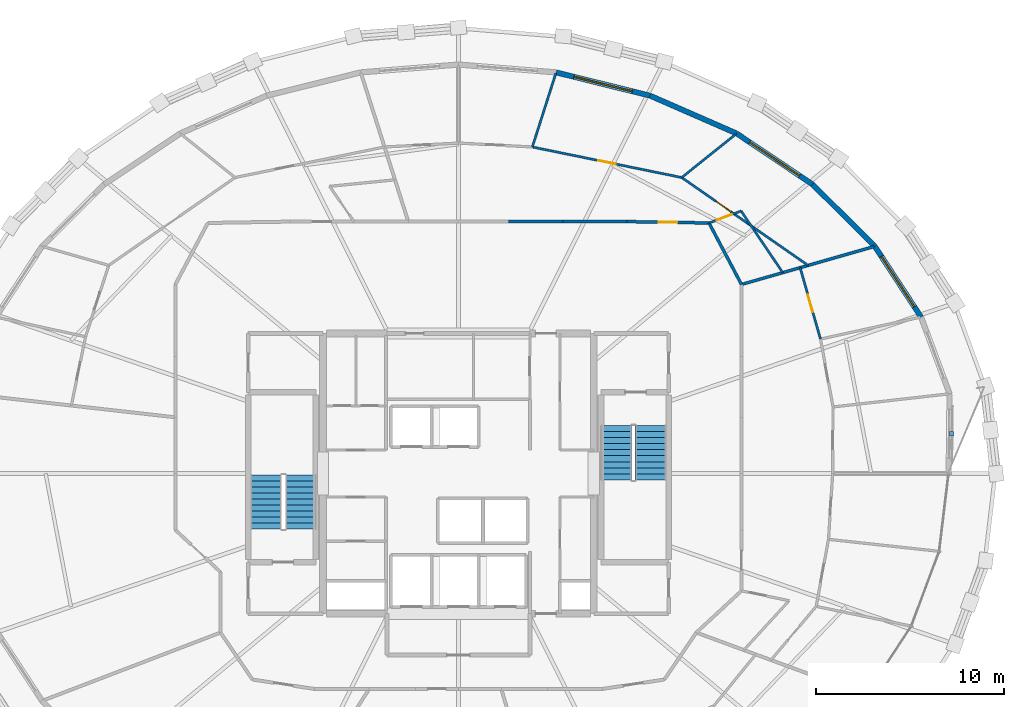
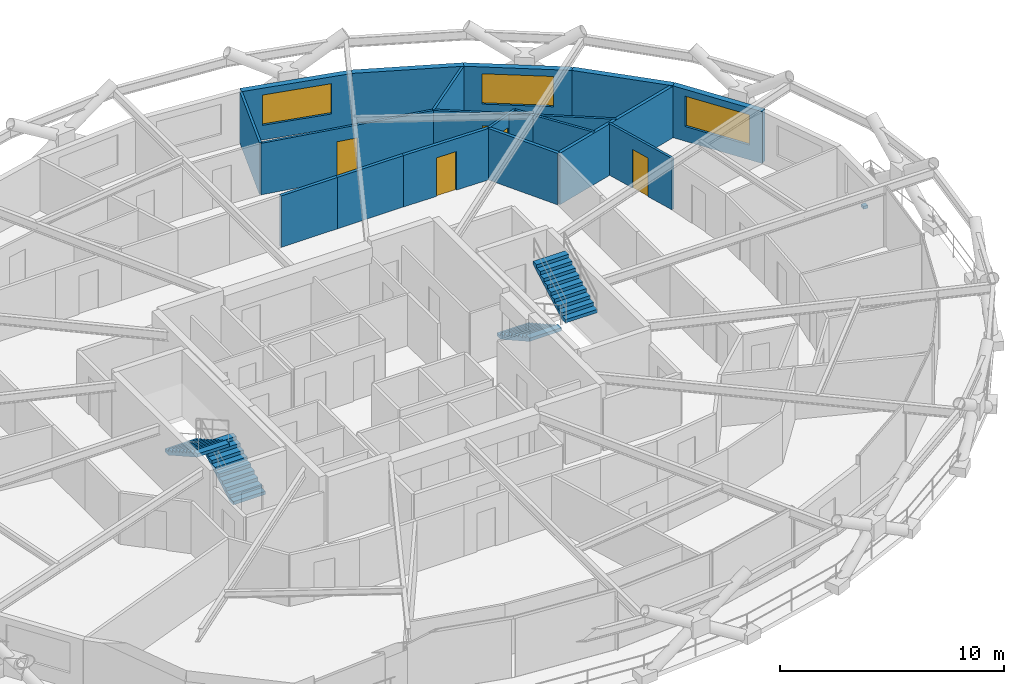
# One storey, part 18 of 21: 17 walls, 5 doors, 4 stair flights, 3 windows, 1 discrete accessory, 8 openings, 2 elements without a shape of their own.
"""IFC4 building model written with IfcOpenShell, lengths in metres."""

import ifcopenshell
import ifcopenshell.guid

model = None  # the IFC model being written
_history = None  # IfcOwnerHistory: only IFC2X3 demands one
_inside = {}  # id of a spatial element -> (the spatial element, [elements in it])
_under = {}  # id of a project, library or spatial element -> (it, [spatial elements below it])
_declared = {}  # id of a project -> (the project, [libraries it declares])
_typed = {}  # id of a type object -> (the type object, [elements of that type])
_made_of = {}  # id of a material, layer set ... -> (it, [elements and type objects made of it])


def new_model(schema):
    """Start an empty IFC model of exactly this schema.

    Asked for "IFC4X3", IfcOpenShell would pick the latest addendum, in which some entities
    have other attributes; the version numbers below select the first issue.
    IFC2X3 requires an IfcOwnerHistory on every rooted entity: one is made here for all.
    """
    global model, _history
    if schema == "IFC4X3":
        model = ifcopenshell.file(schema_version=(4, 3, 0, 0))
    else:
        model = ifcopenshell.file(schema=schema)
    _inside.clear()
    _under.clear()
    _declared.clear()
    _typed.clear()
    _made_of.clear()
    _history = None
    if model.schema == "IFC2X3":
        org = make("IfcOrganization", Name="unknown")
        user = make(
            "IfcPersonAndOrganization",
            ThePerson=make("IfcPerson", FamilyName="unknown"),
            TheOrganization=org,
        )
        app = make(
            "IfcApplication",
            ApplicationDeveloper=org,
            Version="unknown",
            ApplicationFullName="unknown",
            ApplicationIdentifier="unknown",
        )
        _history = make(
            "IfcOwnerHistory",
            OwningUser=user,
            OwningApplication=app,
            ChangeAction="ADDED",
            CreationDate=0,
        )
    return model


def make(cls, **values):
    """One entity of the class cls with the attributes given. An attribute that is None is left unset."""
    return model.create_entity(
        cls, **{name: value for name, value in values.items() if value is not None}
    )


def rooted(cls, **values):
    """An entity with a GlobalId (a new one), such as an element, a storey or a relation."""
    return make(cls, GlobalId=ifcopenshell.guid.new(), OwnerHistory=_history, **values)


def si_unit(unit_type, name, prefix=None):
    """IfcSIUnit, for example si_unit("LENGTHUNIT", "METRE", prefix="MILLI")."""
    return make("IfcSIUnit", UnitType=unit_type, Prefix=prefix, Name=name)


def assignment(units):
    """IfcUnitAssignment: the units of a project."""
    return None if units is None else make("IfcUnitAssignment", Units=units)


def point(xyz):
    """IfcCartesianPoint."""
    return None if xyz is None else make("IfcCartesianPoint", Coordinates=xyz)


def direction(xyz):
    """IfcDirection."""
    return None if xyz is None else make("IfcDirection", DirectionRatios=xyz)


def frame(location, z_axis=None, x_axis=None):
    """IfcAxis2Placement3D, a coordinate frame: its origin and axes. An axis left out is left unset."""
    return make(
        "IfcAxis2Placement3D",
        Location=point(location),
        Axis=direction(z_axis),
        RefDirection=direction(x_axis),
    )


def frame_2d(location, x_axis=None):
    """IfcAxis2Placement2D, a coordinate frame in the plane: its origin and x axis."""
    return make(
        "IfcAxis2Placement2D", Location=point(location), RefDirection=direction(x_axis)
    )


def origin():
    """The frame at (0, 0, 0) with its axes left unset."""
    return frame((0.0, 0.0, 0.0))


def origin_2d():
    """The frame at (0, 0) in the plane with its x axis left unset."""
    return frame_2d((0.0, 0.0))


def place(relative_to, where):
    """IfcLocalPlacement: puts the frame where relative to a parent placement (None: the world)."""
    return make(
        "IfcLocalPlacement", PlacementRelTo=relative_to, RelativePlacement=where
    )


def context(
    kind, dimensions, precision=None, world=None, true_north=None, identifier=None
):
    """IfcGeometricRepresentationContext, for example the 3D "Model" context."""
    return make(
        "IfcGeometricRepresentationContext",
        ContextIdentifier=identifier,
        ContextType=kind,
        CoordinateSpaceDimension=dimensions,
        Precision=precision,
        WorldCoordinateSystem=world,
        TrueNorth=true_north,
    )


def subcontext(parent, identifier, kind, view, scale=None):
    """IfcGeometricRepresentationSubContext, for example "Body" below "Model"."""
    return make(
        "IfcGeometricRepresentationSubContext",
        ContextIdentifier=identifier,
        ContextType=kind,
        ParentContext=parent,
        TargetScale=scale,
        TargetView=view,
    )


def project(units=None, contexts=None):
    """IfcProject with its units and contexts."""
    return rooted(
        "IfcProject",
        Name="project",
        RepresentationContexts=contexts,
        UnitsInContext=assignment(units),
    )


def spatial(cls, under=None, at=None, **own):
    """A site, building, storey or space (cls), placed at a placement, below another one or the project."""
    s = rooted(cls, ObjectPlacement=at, **own)
    if under is not None:
        _under.setdefault(under.id(), (under, []))[1].append(s)
    return s


def polyline(points):
    """IfcPolyline through the points."""
    return make("IfcPolyline", Points=[point(p) for p in points])


def profile(cls, at=None, kind="AREA", **sizes):
    """A parametric profile (cls). Its sizes go by their IFC names, for example OverallWidth=200.0."""
    return make(cls, ProfileType=kind, Position=at, **sizes)


def rectangle(**sizes):
    """IfcRectangleProfileDef."""
    return profile("IfcRectangleProfileDef", **sizes)


def outline(outer, holes=None, kind="AREA"):
    """IfcArbitraryClosedProfileDef: a profile drawn as a closed curve; with holes, ...WithVoids."""
    if holes is None:
        return make("IfcArbitraryClosedProfileDef", ProfileType=kind, OuterCurve=outer)
    return make(
        "IfcArbitraryProfileDefWithVoids",
        ProfileType=kind,
        OuterCurve=outer,
        InnerCurves=holes,
    )


def extrude(swept, where, along, depth):
    """IfcExtrudedAreaSolid: the profile swept, set in the frame where, extruded along a direction by depth."""
    return make(
        "IfcExtrudedAreaSolid",
        SweptArea=swept,
        Position=where,
        ExtrudedDirection=direction(along),
        Depth=depth,
    )


def shape(context_of_items, identifier, shape_type, items):
    """IfcShapeRepresentation: the items that make up one representation, for example the "Body"."""
    return make(
        "IfcShapeRepresentation",
        ContextOfItems=context_of_items,
        RepresentationIdentifier=identifier,
        RepresentationType=shape_type,
        Items=items,
    )


def material(Name=None, Category=None):
    """IfcMaterial."""
    return make("IfcMaterial", Name=Name, Category=Category)


def layer(
    of_material, thickness, ventilated=None, Name=None, Category=None, Priority=None
):
    """IfcMaterialLayer: one layer of a wall or slab, of a material (None: an air gap)."""
    return make(
        "IfcMaterialLayer",
        Material=of_material,
        LayerThickness=thickness,
        IsVentilated=ventilated,
        Name=Name,
        Category=Category,
        Priority=Priority,
    )


def layer_set(layers, Name=None):
    """IfcMaterialLayerSet."""
    return make("IfcMaterialLayerSet", MaterialLayers=layers, LayerSetName=Name)


def made_of(thing, what):
    """Note that an element or type object is made of a material, layer set ...; save() writes the relation."""
    if what is not None:
        _made_of.setdefault(what.id(), (what, []))[1].append(thing)
    return thing


def type_object(cls, material=None, **own):
    """A type object (cls), such as IfcWallType, which elements share."""
    return made_of(rooted(cls, **own), material)


def element(
    cls,
    number,
    at=None,
    inside=None,
    cuts=None,
    type_object=None,
    material=None,
    context=None,
    identifier="Body",
    shape_type=None,
    held_by="IfcProductDefinitionShape",
    body=None,
    shapes=None,
    **own,
):
    """One element of the class cls, such as IfcWall. Its Tag is "e" and its number.

    at: its placement. inside: the storey or other place that contains it. cuts: it is an
    opening in that element (IfcRelVoidsElement). A single representation is given by context,
    identifier, shape_type and body (its items); several are given by shapes. held_by: the class
    of the entity that holds the representations. save() writes the other relations.
    """
    e = rooted(cls, Tag="e%d" % number, ObjectPlacement=at, **own)
    if body is not None:
        shapes = [shape(context, identifier, shape_type, body)]
    if shapes is not None:
        e.Representation = make(held_by, Representations=shapes)
    if inside is not None:
        _inside.setdefault(inside.id(), (inside, []))[1].append(e)
    if cuts is not None:
        rooted(
            "IfcRelVoidsElement", RelatingBuildingElement=cuts, RelatedOpeningElement=e
        )
    if type_object is not None:
        _typed.setdefault(type_object.id(), (type_object, []))[1].append(e)
    return made_of(e, material)


def fill(opening, filler):
    """IfcRelFillsElement: the door or window that sits in an opening."""
    return rooted(
        "IfcRelFillsElement",
        RelatingOpeningElement=opening,
        RelatedBuildingElement=filler,
    )


def aggregate(whole, parts):
    """IfcRelAggregates: a whole, such as a stair, and the parts it consists of."""
    return rooted("IfcRelAggregates", RelatingObject=whole, RelatedObjects=parts)


def save(model, path):
    """Write the relations noted so far, then the file.

    IfcRelAggregates (storeys below a building ...), IfcRelContainedInSpatialStructure (elements
    in a storey), IfcRelDefinesByType, IfcRelAssociatesMaterial and IfcRelDeclares: one each for
    every whole, place, type object, material and project.
    """
    for whole, parts in _under.values():
        aggregate(whole, parts)
    for where, things in _inside.values():
        rooted(
            "IfcRelContainedInSpatialStructure",
            RelatedElements=things,
            RelatingStructure=where,
        )
    for kind, things in _typed.values():
        rooted("IfcRelDefinesByType", RelatedObjects=things, RelatingType=kind)
    for what, things in _made_of.values():
        rooted("IfcRelAssociatesMaterial", RelatedObjects=things, RelatingMaterial=what)
    for by, libraries in _declared.values():
        rooted("IfcRelDeclares", RelatingContext=by, RelatedDefinitions=libraries)
    model.write(path)


model = new_model("IFC4")

# Units and contexts
model_context = context("Model", 3, precision=1e-05, world=origin(), true_north=direction((0.0, 1.0)))
body_context = subcontext(model_context, "Body", "Model", "MODEL_VIEW")
ifc_project = project(units=[si_unit("LENGTHUNIT", "METRE"), si_unit("AREAUNIT", "SQUARE_METRE"), si_unit("VOLUMEUNIT", "CUBIC_METRE"), si_unit("PLANEANGLEUNIT", "RADIAN"), si_unit("MASSUNIT", "GRAM", prefix="KILO")], contexts=[model_context])

# Site, building, storey
site_placement = place(None, origin())
site = spatial("IfcSite", under=ifc_project, at=site_placement, CompositionType="ELEMENT")
building_placement = place(site_placement, origin())
building = spatial("IfcBuilding", under=site, at=building_placement, Name="Veldorina Hangang Commons", CompositionType="ELEMENT")
storey_placement = place(building_placement, frame((0.0, 0.0, 128.0)))
storey = spatial("IfcBuildingStorey", under=building, at=storey_placement, Name="L32", CompositionType="ELEMENT", Elevation=128.0)

# Wall, opening, window
ifc_material_1 = material(Name="Stone Roman Travertine", Category="masonry")
ifc_layer_1 = layer(ifc_material_1, 0.280029296875)
ifc_layer_set_1 = layer_set([ifc_layer_1], Name="Stone Roman Travertine")
wall_type_1 = type_object("IfcWallType", Name="EW-TRAV-280", PredefinedType="STANDARD", material=ifc_layer_set_1)
wall_1_placement = place(storey_placement, frame((56.598876953125, 32.3232421875, 0.0), z_axis=(0.0, 0.0, 1.0), x_axis=(-0.547571349255, 0.836758996053, 0.0)))
wall_1 = element("IfcWall", 1, at=wall_1_placement, inside=storey, type_object=wall_type_1, Name="L32 travertine facade wall 02", PredefinedType="STANDARD", context=body_context, shape_type="SweptSolid", body=[
    extrude(rectangle(XDim=4.493896484375, YDim=0.280029296875, at=frame_2d((2.2470703125, 0.0))), origin(), (0.0, 0.0, 1.0), 2.820068359375),
])
opening_1_placement = place(wall_1_placement, frame((0.64697265625, 0.0, 0.800048828125)))
opening_1 = element("IfcOpeningElement", 2, at=opening_1_placement, cuts=wall_1, Name="Opening W-01", PredefinedType="OPENING", context=body_context, shape_type="SweptSolid", body=[
    extrude(rectangle(XDim=3.199951171875, YDim=1.64990234375, at=frame_2d((1.60009765625, 0.824951171875))), frame((0.0, 0.14990234375, 0.0), z_axis=(0.0, -1.0, 0.0), x_axis=(1.0, 0.0, 0.0)), (0.0, 0.0, 1.0), 0.300048828125),
])
ifc_material_2 = material(Name="Glass Low-E Triple IGU", Category="glass")
window_type = type_object("IfcWindowType", Name="WIN-TWR-3200", PartitioningType="SINGLE_PANEL", PredefinedType="WINDOW", material=ifc_material_2)
window_1_placement = place(opening_1_placement, origin())
window_1 = element("IfcWindow", 3, at=window_1_placement, inside=storey, type_object=window_type, Name="L32 facade window 02", OverallHeight=1.64990234375, OverallWidth=3.199951171875, PartitioningType="SINGLE_PANEL", PredefinedType="WINDOW", context=body_context, shape_type="SweptSolid", body=[
    extrude(rectangle(XDim=3.199951171875, YDim=1.64990234375, at=frame_2d((1.60009765625, 0.824951171875))), frame((0.0, 0.030029296875, 0.0), z_axis=(0.0, -1.0, 0.0), x_axis=(1.0, 0.0, 0.0)), (0.0, 0.0, 1.0), 0.06005859375),
])
fill(opening_1, window_1)

# Wall
wall_2_placement = place(storey_placement, frame((54.13818359375, 36.08349609375, 0.0), z_axis=(0.0, 0.0, 1.0), x_axis=(-0.708724927863, 0.705484923032, 0.0)))
element("IfcWall", 4, at=wall_2_placement, inside=storey, type_object=wall_type_1, Name="L32 travertine facade wall 03", PredefinedType="STANDARD", context=body_context, shape_type="SweptSolid", body=[
    extrude(rectangle(XDim=4.671875, YDim=0.280029296875, at=frame_2d((2.3359375, 0.0))), origin(), (0.0, 0.0, 1.0), 2.820068359375),
])

# Wall, opening, window
wall_3_placement = place(storey_placement, frame((50.8271484375, 39.37939453125, 0.0), z_axis=(0.0, 0.0, 1.0), x_axis=(-0.830609353865, 0.556855547941, 0.0)))
wall_3 = element("IfcWall", 5, at=wall_3_placement, inside=storey, type_object=wall_type_1, Name="L32 travertine facade wall 04", PredefinedType="STANDARD", context=body_context, shape_type="SweptSolid", body=[
    extrude(rectangle(XDim=4.857666015625, YDim=0.280029296875, at=frame_2d((2.4287109375, 0.0))), origin(), (0.0, 0.0, 1.0), 2.820068359375),
])
opening_2_placement = place(wall_3_placement, frame((0.828857421875, 0.0, 0.800048828125)))
opening_2 = element("IfcOpeningElement", 6, at=opening_2_placement, cuts=wall_3, Name="Opening W-01", PredefinedType="OPENING", context=body_context, shape_type="SweptSolid", body=[
    extrude(rectangle(XDim=3.199951171875, YDim=1.64990234375, at=frame_2d((1.60009765625, 0.824951171875))), frame((0.0, 0.14990234375, 0.0), z_axis=(0.0, -1.0, 0.0), x_axis=(1.0, 0.0, 0.0)), (0.0, 0.0, 1.0), 0.300048828125),
])
window_2_placement = place(opening_2_placement, origin())
window_2 = element("IfcWindow", 7, at=window_2_placement, inside=storey, type_object=window_type, Name="L32 facade window 04", OverallHeight=1.64990234375, OverallWidth=3.199951171875, PartitioningType="SINGLE_PANEL", PredefinedType="WINDOW", context=body_context, shape_type="SweptSolid", body=[
    extrude(rectangle(XDim=3.199951171875, YDim=1.64990234375, at=frame_2d((1.60009765625, 0.824951171875))), frame((0.0, 0.030029296875, 0.0), z_axis=(0.0, -1.0, 0.0), x_axis=(1.0, 0.0, 0.0)), (0.0, 0.0, 1.0), 0.06005859375),
])
fill(opening_2, window_2)

# Wall
wall_4_placement = place(storey_placement, frame((46.792236328125, 42.08447265625, 0.0), z_axis=(0.0, 0.0, 1.0), x_axis=(-0.916453831221, 0.400140444394, 0.0)))
element("IfcWall", 8, at=wall_4_placement, inside=storey, type_object=wall_type_1, Name="L32 travertine facade wall 05", PredefinedType="STANDARD", context=body_context, shape_type="SweptSolid", body=[
    extrude(rectangle(XDim=5.022705078125, YDim=0.280029296875, at=frame_2d((2.51123046875, 0.0))), origin(), (0.0, 0.0, 1.0), 2.820068359375),
])

# Wall, opening, window
wall_5_placement = place(storey_placement, frame((42.189208984375, 44.09423828125, 0.0), z_axis=(0.0, 0.0, 1.0), x_axis=(-0.970639991073, 0.240536915526, 0.0)))
wall_5 = element("IfcWall", 9, at=wall_5_placement, inside=storey, type_object=wall_type_1, Name="L32 travertine facade wall 06", PredefinedType="STANDARD", context=body_context, shape_type="SweptSolid", body=[
    extrude(rectangle(XDim=5.14599609375, YDim=0.280029296875, at=frame_2d((2.572998046875, 0.0))), origin(), (0.0, 0.0, 1.0), 2.820068359375),
])
opening_3_placement = place(wall_5_placement, frame((0.972900390625, 0.0, 0.800048828125)))
opening_3 = element("IfcOpeningElement", 10, at=opening_3_placement, cuts=wall_5, Name="Opening W-01", PredefinedType="OPENING", context=body_context, shape_type="SweptSolid", body=[
    extrude(rectangle(XDim=3.199951171875, YDim=1.64990234375, at=frame_2d((1.60009765625, 0.824951171875))), frame((0.0, 0.14990234375, 0.0), z_axis=(0.0, -1.0, 0.0), x_axis=(1.0, 0.0, 0.0)), (0.0, 0.0, 1.0), 0.300048828125),
])
window_3_placement = place(opening_3_placement, origin())
window_3 = element("IfcWindow", 11, at=window_3_placement, inside=storey, type_object=window_type, Name="L32 facade window 06", OverallHeight=1.64990234375, OverallWidth=3.199951171875, PartitioningType="SINGLE_PANEL", PredefinedType="WINDOW", context=body_context, shape_type="SweptSolid", body=[
    extrude(rectangle(XDim=3.199951171875, YDim=1.64990234375, at=frame_2d((1.60009765625, 0.824951171875))), frame((0.0, 0.030029296875, 0.0), z_axis=(0.0, -1.0, 0.0), x_axis=(1.0, 0.0, 0.0)), (0.0, 0.0, 1.0), 0.06005859375),
])
fill(opening_3, window_3)

# Wall
ifc_material_3 = material(Name="Gypsum Fire-Rated Twin Stud Wall", Category="gypsum")
ifc_layer_2 = layer(ifc_material_3, 0.159912109375)
ifc_layer_set_2 = layer_set([ifc_layer_2], Name="Gypsum Fire-Rated Twin Stud Wall")
wall_type_2 = type_object("IfcWallType", Name="WL-FIRE-160", PredefinedType="SOLIDWALL", material=ifc_layer_set_2)
wall_6_placement = place(storey_placement, frame((47.050048828125, 34.05615234375, 0.0), z_axis=(0.0, 0.0, 1.0), x_axis=(-0.466737093093, 0.884396113702, 0.0)))
element("IfcWall", 12, at=wall_6_placement, inside=storey, type_object=wall_type_2, Name="L32 U-corridor outer wall 03 051", PredefinedType="SOLIDWALL", context=body_context, shape_type="SweptSolid", body=[
    extrude(rectangle(XDim=3.696044921875, YDim=0.159912109375, at=frame_2d((1.84814453125, 0.0))), origin(), (0.0, 0.0, 1.0), 2.800048828125),
])

# Wall, opening, door
wall_7_placement = place(storey_placement, frame((45.324951171875, 37.324951171875, 0.0), z_axis=(0.0, 0.0, 1.0), x_axis=(-0.999853038912, 0.017143528788, 0.0)))
wall_7 = element("IfcWall", 13, at=wall_7_placement, inside=storey, type_object=wall_type_2, Name="L32 U-corridor outer wall 04 052", PredefinedType="SOLIDWALL", context=body_context, shape_type="SweptSolid", body=[
    extrude(rectangle(XDim=4.3720703125, YDim=0.159912109375, at=frame_2d((2.18603515625, 0.0))), origin(), (0.0, 0.0, 1.0), 2.800048828125),
])
opening_4_placement = place(wall_7_placement, frame((1.68603515625, 0.0, 0.0)))
opening_4 = element("IfcOpeningElement", 14, at=opening_4_placement, cuts=wall_7, Name="Opening D-06", PredefinedType="OPENING", context=body_context, shape_type="SweptSolid", body=[
    extrude(rectangle(XDim=1.0, YDim=2.10009765625, at=frame_2d((0.5, 1.050048828125))), frame((0.0, 0.08984375, 0.0), z_axis=(0.0, -1.0, 0.0), x_axis=(1.0, 0.0, 0.0)), (0.0, 0.0, 1.0), 0.179931640625),
])
ifc_material_4 = material(Name="Timber Fire-Rated Entrance Core", Category="wood")
door_type_1 = type_object("IfcDoorType", Name="DR-UNIT-1000", OperationType="SINGLE_SWING_LEFT", PredefinedType="DOOR", material=ifc_material_4)
door_1_placement = place(opening_4_placement, origin())
door_1 = element("IfcDoor", 15, at=door_1_placement, inside=storey, type_object=door_type_1, Name="L32 Cluster 3 entrance door 031", OperationType="SINGLE_SWING_LEFT", OverallHeight=2.10009765625, OverallWidth=1.0, PredefinedType="DOOR", context=body_context, shape_type="SweptSolid", body=[
    extrude(rectangle(XDim=1.0, YDim=2.10009765625, at=frame_2d((0.5, 1.050048828125))), frame((0.0, 0.02490234375, 0.0), z_axis=(0.0, -1.0, 0.0), x_axis=(1.0, 0.0, 0.0)), (0.0, 0.0, 1.0), 0.050048828125),
])
fill(opening_4, door_1)

# Walls
wall_8_placement = place(storey_placement, frame((40.95361328125, 37.39990234375, 0.0), z_axis=(0.0, 0.0, 1.0), x_axis=(-1.0, 0.0, 0.0)))
element("IfcWall", 16, at=wall_8_placement, inside=storey, type_object=wall_type_2, Name="L32 U-corridor outer wall 05 053", PredefinedType="SOLIDWALL", context=body_context, shape_type="SweptSolid", body=[
    extrude(rectangle(XDim=3.403076171875, YDim=0.159912109375, at=frame_2d((1.70166015625, 0.0))), origin(), (0.0, 0.0, 1.0), 2.800048828125),
])
wall_9_placement = place(storey_placement, frame((37.550537109375, 37.39990234375, 0.0), z_axis=(0.0, 0.0, 1.0), x_axis=(-1.0, 0.0, 0.0)))
element("IfcWall", 17, at=wall_9_placement, inside=storey, type_object=wall_type_2, Name="L32 U-corridor outer wall 06 054", PredefinedType="SOLIDWALL", context=body_context, shape_type="SweptSolid", body=[
    extrude(rectangle(XDim=2.88525390625, YDim=0.159912109375, at=frame_2d((1.442626953125, 0.0))), origin(), (0.0, 0.0, 1.0), 2.800048828125),
])
wall_10_placement = place(storey_placement, frame((47.050048828125, 34.05615234375, 0.0), z_axis=(0.0, 0.0, 1.0), x_axis=(0.961443382808, 0.275002948446, 0.0)))
element("IfcWall", 18, at=wall_10_placement, inside=storey, type_object=wall_type_2, Name="L32 Unit party wall 03 099", PredefinedType="SOLIDWALL", context=body_context, shape_type="SweptSolid", body=[
    extrude(rectangle(XDim=7.322265625, YDim=0.159912109375, at=frame_2d((3.6611328125, 0.0))), origin(), (0.0, 0.0, 1.0), 2.800048828125),
])

# Wall, opening, door
ifc_material_5 = material(Name="Gypsum Acoustic Stud Partition", Category="gypsum")
ifc_layer_3 = layer(ifc_material_5, 0.1201171875)
ifc_layer_set_3 = layer_set([ifc_layer_3], Name="Gypsum Acoustic Stud Partition")
wall_type_3 = type_object("IfcWallType", Name="WL-PART-120", PredefinedType="PARTITIONING", material=ifc_layer_set_3)
wall_11_placement = place(storey_placement, frame((51.25146484375, 31.1533203125, 0.0), z_axis=(0.0, 0.0, 1.0), x_axis=(-0.274312555961, 0.9616405886, 0.0)))
wall_11 = element("IfcWall", 19, at=wall_11_placement, inside=storey, type_object=wall_type_3, Name="L32 Cluster 2 bed 6 front wall 097", PredefinedType="PARTITIONING", context=body_context, shape_type="SweptSolid", body=[
    extrude(rectangle(XDim=3.9462890625, YDim=0.1201171875, at=frame_2d((1.97314453125, 0.0))), origin(), (0.0, 0.0, 1.0), 2.800048828125),
])
opening_5_placement = place(wall_11_placement, frame((1.498291015625, 0.0, 0.0)))
opening_5 = element("IfcOpeningElement", 20, at=opening_5_placement, cuts=wall_11, Name="Opening D-02", PredefinedType="OPENING", context=body_context, shape_type="SweptSolid", body=[
    extrude(rectangle(XDim=0.949951171875, YDim=2.10009765625, at=frame_2d((0.47509765625, 1.050048828125))), frame((0.0, 0.070068359375, 0.0), z_axis=(0.0, -1.0, 0.0), x_axis=(1.0, 0.0, 0.0)), (0.0, 0.0, 1.0), 0.14013671875),
])
ifc_material_6 = material(Name="Timber Solid Core Acoustic", Category="wood")
door_type_2 = type_object("IfcDoorType", Name="DR-INT-950", OperationType="SINGLE_SWING_LEFT", PredefinedType="DOOR", material=ifc_material_6)
door_2_placement = place(opening_5_placement, origin())
door_2 = element("IfcDoor", 21, at=door_2_placement, inside=storey, type_object=door_type_2, Name="L32 Cluster 2 bed 6 door 029", OperationType="SINGLE_SWING_LEFT", OverallHeight=2.10009765625, OverallWidth=0.949951171875, PredefinedType="DOOR", context=body_context, shape_type="SweptSolid", body=[
    extrude(rectangle(XDim=0.949951171875, YDim=2.10009765625, at=frame_2d((0.47509765625, 1.050048828125))), frame((0.0, 0.02490234375, 0.0), z_axis=(0.0, -1.0, 0.0), x_axis=(1.0, 0.0, 0.0)), (0.0, 0.0, 1.0), 0.050048828125),
])
fill(opening_5, door_2)

# Wall
wall_12_placement = place(storey_placement, frame((49.247314453125, 34.6845703125, 0.0), z_axis=(0.0, 0.0, 1.0), x_axis=(-0.560227188168, 0.828338999225, 0.0)))
element("IfcWall", 22, at=wall_12_placement, inside=storey, type_object=wall_type_3, Name="L32 Cluster 3 bath front wall 100", PredefinedType="PARTITIONING", context=body_context, shape_type="SweptSolid", body=[
    extrude(rectangle(XDim=3.95654296875, YDim=0.1201171875, at=frame_2d((1.978271484375, 0.0))), origin(), (0.0, 0.0, 1.0), 2.800048828125),
])

# Wall, opening, door
wall_13_placement = place(storey_placement, frame((45.324951171875, 37.324951171875, 0.0), z_axis=(0.0, 0.0, 1.0), x_axis=(0.936818667413, 0.349815357561, 0.0)))
wall_13 = element("IfcWall", 23, at=wall_13_placement, inside=storey, type_object=wall_type_3, Name="L32 Cluster 3 bath side wall 101", PredefinedType="PARTITIONING", context=body_context, shape_type="SweptSolid", body=[
    extrude(rectangle(XDim=1.82080078125, YDim=0.1201171875, at=frame_2d((0.910400390625, 0.0))), origin(), (0.0, 0.0, 1.0), 2.800048828125),
])
opening_6_placement = place(wall_13_placement, frame((0.43994140625, 0.0, 0.0)))
opening_6 = element("IfcOpeningElement", 24, at=opening_6_placement, cuts=wall_13, Name="Opening D-01", PredefinedType="OPENING", context=body_context, shape_type="SweptSolid", body=[
    extrude(rectangle(XDim=0.860107421875, YDim=2.10009765625, at=frame_2d((0.43017578125, 1.050048828125))), frame((0.0, 0.070068359375, 0.0), z_axis=(0.0, -1.0, 0.0), x_axis=(1.0, 0.0, 0.0)), (0.0, 0.0, 1.0), 0.14013671875),
])
ifc_material_7 = material(Name="Timber Moisture-Resistant Core", Category="wood")
door_type_3 = type_object("IfcDoorType", Name="DR-WET-860", OperationType="SINGLE_SWING_LEFT", PredefinedType="DOOR", material=ifc_material_7)
door_3_placement = place(opening_6_placement, origin())
door_3 = element("IfcDoor", 25, at=door_3_placement, inside=storey, type_object=door_type_3, Name="L32 Cluster 3 shared bathroom door 030", OperationType="SINGLE_SWING_RIGHT", OverallHeight=2.10009765625, OverallWidth=0.860107421875, PredefinedType="DOOR", context=body_context, shape_type="SweptSolid", body=[
    extrude(rectangle(XDim=0.860107421875, YDim=2.10009765625, at=frame_2d((0.43017578125, 1.050048828125))), frame((0.0, 0.02490234375, 0.0), z_axis=(0.0, -1.0, 0.0), x_axis=(1.0, 0.0, 0.0)), (0.0, 0.0, 1.0), 0.050048828125),
])
fill(opening_6, door_3)

wall_14_placement = place(storey_placement, frame((50.593994140625, 35.06982421875, 0.0), z_axis=(0.0, 0.0, 1.0), x_axis=(-0.821081459347, 0.570811034508, 0.0)))
wall_14 = element("IfcWall", 26, at=wall_14_placement, inside=storey, type_object=wall_type_3, Name="L32 Cluster 3 bed 1 front wall 102", PredefinedType="PARTITIONING", context=body_context, shape_type="SweptSolid", body=[
    extrude(rectangle(XDim=8.185546875, YDim=0.1201171875, at=frame_2d((4.0927734375, 0.0))), origin(), (0.0, 0.0, 1.0), 2.800048828125),
])
opening_7_placement = place(wall_14_placement, frame((5.01611328125, 0.0, 0.0)))
opening_7 = element("IfcOpeningElement", 27, at=opening_7_placement, cuts=wall_14, Name="Opening D-02", PredefinedType="OPENING", context=body_context, shape_type="SweptSolid", body=[
    extrude(rectangle(XDim=0.949951171875, YDim=2.10009765625, at=frame_2d((0.47509765625, 1.050048828125))), frame((0.0, 0.070068359375, 0.0), z_axis=(0.0, -1.0, 0.0), x_axis=(1.0, 0.0, 0.0)), (0.0, 0.0, 1.0), 0.14013671875),
])
door_4_placement = place(opening_7_placement, origin())
door_4 = element("IfcDoor", 28, at=door_4_placement, inside=storey, type_object=door_type_2, Name="L32 Cluster 3 bed 1 door 032", OperationType="SINGLE_SWING_RIGHT", OverallHeight=2.10009765625, OverallWidth=0.949951171875, PredefinedType="DOOR", context=body_context, shape_type="SweptSolid", body=[
    extrude(rectangle(XDim=0.949951171875, YDim=2.10009765625, at=frame_2d((0.47509765625, 1.050048828125))), frame((0.0, 0.02490234375, 0.0), z_axis=(0.0, -1.0, 0.0), x_axis=(1.0, 0.0, 0.0)), (0.0, 0.0, 1.0), 0.050048828125),
])
fill(opening_7, door_4)

wall_15_placement = place(storey_placement, frame((43.873046875, 39.7421875, 0.0), z_axis=(0.0, 0.0, 1.0), x_axis=(-0.979737902763, 0.20028390322, 0.0)))
wall_15 = element("IfcWall", 29, at=wall_15_placement, inside=storey, type_object=wall_type_3, Name="L32 Cluster 3 bed 2 front wall 103", PredefinedType="PARTITIONING", context=body_context, shape_type="SweptSolid", body=[
    extrude(rectangle(XDim=8.107421875, YDim=0.1201171875, at=frame_2d((4.0537109375, 0.0))), origin(), (0.0, 0.0, 1.0), 2.800048828125),
])
opening_8_placement = place(wall_15_placement, frame((3.57861328125, 0.0, 0.0)))
opening_8 = element("IfcOpeningElement", 30, at=opening_8_placement, cuts=wall_15, Name="Opening D-02", PredefinedType="OPENING", context=body_context, shape_type="SweptSolid", body=[
    extrude(rectangle(XDim=0.949951171875, YDim=2.10009765625, at=frame_2d((0.47509765625, 1.050048828125))), frame((0.0, 0.070068359375, 0.0), z_axis=(0.0, -1.0, 0.0), x_axis=(1.0, 0.0, 0.0)), (0.0, 0.0, 1.0), 0.14013671875),
])
door_5_placement = place(opening_8_placement, origin())
door_5 = element("IfcDoor", 31, at=door_5_placement, inside=storey, type_object=door_type_2, Name="L32 Cluster 3 bed 2 door 033", OperationType="SINGLE_SWING_LEFT", OverallHeight=2.10009765625, OverallWidth=0.949951171875, PredefinedType="DOOR", context=body_context, shape_type="SweptSolid", body=[
    extrude(rectangle(XDim=0.949951171875, YDim=2.10009765625, at=frame_2d((0.47509765625, 1.050048828125))), frame((0.0, 0.02490234375, 0.0), z_axis=(0.0, -1.0, 0.0), x_axis=(1.0, 0.0, 0.0)), (0.0, 0.0, 1.0), 0.050048828125),
])
fill(opening_8, door_5)

# Walls
wall_16_placement = place(storey_placement, frame((43.873046875, 39.7421875, 0.0), z_axis=(0.0, 0.0, 1.0), x_axis=(0.780010206727, 0.625766791547, 0.0)))
element("IfcWall", 32, at=wall_16_placement, inside=storey, type_object=wall_type_3, Name="L32 Cluster 3 bed divider 1 104", PredefinedType="PARTITIONING", context=body_context, shape_type="SweptSolid", body=[
    extrude(rectangle(XDim=3.692626953125, YDim=0.1201171875, at=frame_2d((1.84619140625, 0.0))), origin(), (0.0, 0.0, 1.0), 2.800048828125),
])
wall_17_placement = place(storey_placement, frame((35.929931640625, 41.365966796875, 0.0), z_axis=(0.0, 0.0, 1.0), x_axis=(0.303752449649, 0.952750990203, 0.0)))
element("IfcWall", 33, at=wall_17_placement, inside=storey, type_object=wall_type_3, Name="L32 Cluster 3 bed divider 2 106", PredefinedType="PARTITIONING", context=body_context, shape_type="SweptSolid", body=[
    extrude(rectangle(XDim=4.11279296875, YDim=0.1201171875, at=frame_2d((2.056396484375, 0.0))), origin(), (0.0, 0.0, 1.0), 2.800048828125),
])

# Stair, stair flights
ifc_material_8 = material(Name="Concrete C40/50", Category="concrete")
stair_type = type_object("IfcStairType", Name="STR-DOG-1650-20R", PredefinedType="HALF_TURN_STAIR", material=ifc_material_8)
stair_1_placement = place(storey_placement, origin())
stair_1 = element("IfcStair", 34, at=stair_1_placement, inside=storey, type_object=stair_type, Name="L32 Exit stair ST-1", PredefinedType="HALF_TURN_STAIR")
stair_flight_type = type_object("IfcStairFlightType", Name="SFL-STR-1650-20R", PredefinedType="STRAIGHT", material=ifc_material_8)
stair_flight_1_placement = place(storey_placement, frame((23.625, 21.050048828125, 0.0), z_axis=(0.0, 0.0, 1.0), x_axis=(0.0, 1.0, 0.0)))
stair_flight_1 = element("IfcStairFlight", 35, at=stair_flight_1_placement, type_object=stair_flight_type, Name="ST-1 flight 1", NumberOfRisers=10, NumberOfTreads=9, PredefinedType="STRAIGHT", RiserHeight=0.18, TreadLength=0.32, context=body_context, shape_type="SweptSolid", body=[
    extrude(outline(polyline([(0.0, 0.0), (0.0, 0.179931640625), (0.320068359375, 0.179931640625), (0.320068359375, 0.360107421875), (0.639892578125, 0.360107421875), (0.639892578125, 0.5400390625), (0.9599609375, 0.5400390625), (0.9599609375, 0.719970703125), (1.280029296875, 0.719970703125), (1.280029296875, 0.89990234375), (1.60009765625, 0.89990234375), (1.60009765625, 1.080078125), (1.919921875, 1.080078125), (1.919921875, 1.260009765625), (2.239990234375, 1.260009765625), (2.239990234375, 1.43994140625), (2.56005859375, 1.43994140625), (2.56005859375, 1.6201171875), (2.8798828125, 1.6201171875), (2.8798828125, 1.800048828125), (2.8798828125, 1.447998046875), (0.3056640625, 0.0), (0.0, 0.0)])), frame((0.0, 0.824951171875, 0.0), z_axis=(0.0, -1.0, 0.0), x_axis=(1.0, 0.0, 0.0)), (0.0, 0.0, 1.0), 1.64990234375),
])
stair_flight_2_placement = place(storey_placement, frame((21.77490234375, 23.929931640625, 1.800048828125), z_axis=(0.0, 0.0, 1.0), x_axis=(0.0, -1.0, 0.0)))
stair_flight_2 = element("IfcStairFlight", 36, at=stair_flight_2_placement, type_object=stair_flight_type, Name="ST-1 flight 2", NumberOfRisers=10, NumberOfTreads=9, PredefinedType="STRAIGHT", RiserHeight=0.18, TreadLength=0.32, context=body_context, shape_type="SweptSolid", body=[
    extrude(outline(polyline([(0.0, 0.0), (0.0, 0.179931640625), (0.320068359375, 0.179931640625), (0.320068359375, 0.360107421875), (0.639892578125, 0.360107421875), (0.639892578125, 0.5400390625), (0.9599609375, 0.5400390625), (0.9599609375, 0.719970703125), (1.280029296875, 0.719970703125), (1.280029296875, 0.89990234375), (1.60009765625, 0.89990234375), (1.60009765625, 1.080078125), (1.919921875, 1.080078125), (1.919921875, 1.260009765625), (2.239990234375, 1.260009765625), (2.239990234375, 1.43994140625), (2.56005859375, 1.43994140625), (2.56005859375, 1.6201171875), (2.8798828125, 1.6201171875), (2.8798828125, 1.800048828125), (2.8798828125, 1.447998046875), (0.3056640625, 0.0), (0.0, 0.0)])), frame((0.0, 0.824951171875, 0.0), z_axis=(0.0, -1.0, 0.0), x_axis=(1.0, 0.0, 0.0)), (0.0, 0.0, 1.0), 1.64990234375),
])
aggregate(stair_1, [stair_flight_1, stair_flight_2])

stair_2_placement = place(storey_placement, origin())
stair_2 = element("IfcStair", 37, at=stair_2_placement, inside=storey, type_object=stair_type, Name="L32 Exit stair ST-2", PredefinedType="HALF_TURN_STAIR")
stair_flight_3_placement = place(storey_placement, frame((40.375, 26.550048828125, 0.0), z_axis=(0.0, 0.0, 1.0), x_axis=(0.0, -1.0, 0.0)))
stair_flight_3 = element("IfcStairFlight", 38, at=stair_flight_3_placement, type_object=stair_flight_type, Name="ST-2 flight 1", NumberOfRisers=10, NumberOfTreads=9, PredefinedType="STRAIGHT", RiserHeight=0.18, TreadLength=0.32, context=body_context, shape_type="SweptSolid", body=[
    extrude(outline(polyline([(0.0, 0.0), (0.0, 0.179931640625), (0.320068359375, 0.179931640625), (0.320068359375, 0.360107421875), (0.639892578125, 0.360107421875), (0.639892578125, 0.5400390625), (0.9599609375, 0.5400390625), (0.9599609375, 0.719970703125), (1.280029296875, 0.719970703125), (1.280029296875, 0.89990234375), (1.60009765625, 0.89990234375), (1.60009765625, 1.080078125), (1.919921875, 1.080078125), (1.919921875, 1.260009765625), (2.239990234375, 1.260009765625), (2.239990234375, 1.43994140625), (2.56005859375, 1.43994140625), (2.56005859375, 1.6201171875), (2.8798828125, 1.6201171875), (2.8798828125, 1.800048828125), (2.8798828125, 1.447998046875), (0.3056640625, 0.0), (0.0, 0.0)])), frame((0.0, 0.824951171875, 0.0), z_axis=(0.0, -1.0, 0.0), x_axis=(1.0, 0.0, 0.0)), (0.0, 0.0, 1.0), 1.64990234375),
])
stair_flight_4_placement = place(storey_placement, frame((42.22509765625, 23.669921875, 1.800048828125), z_axis=(0.0, 0.0, 1.0), x_axis=(0.0, 1.0, 0.0)))
stair_flight_4 = element("IfcStairFlight", 39, at=stair_flight_4_placement, type_object=stair_flight_type, Name="ST-2 flight 2", NumberOfRisers=10, NumberOfTreads=9, PredefinedType="STRAIGHT", RiserHeight=0.18, TreadLength=0.32, context=body_context, shape_type="SweptSolid", body=[
    extrude(outline(polyline([(0.0, 0.0), (0.0, 0.179931640625), (0.320068359375, 0.179931640625), (0.320068359375, 0.360107421875), (0.639892578125, 0.360107421875), (0.639892578125, 0.5400390625), (0.9599609375, 0.5400390625), (0.9599609375, 0.719970703125), (1.280029296875, 0.719970703125), (1.280029296875, 0.89990234375), (1.60009765625, 0.89990234375), (1.60009765625, 1.080078125), (1.919921875, 1.080078125), (1.919921875, 1.260009765625), (2.239990234375, 1.260009765625), (2.239990234375, 1.43994140625), (2.56005859375, 1.43994140625), (2.56005859375, 1.6201171875), (2.8798828125, 1.6201171875), (2.8798828125, 1.800048828125), (2.8798828125, 1.447998046875), (0.3056640625, 0.0), (0.0, 0.0)])), frame((0.0, 0.824951171875, 0.0), z_axis=(0.0, -1.0, 0.0), x_axis=(1.0, 0.0, 0.0)), (0.0, 0.0, 1.0), 1.64990234375),
])
aggregate(stair_2, [stair_flight_3, stair_flight_4])

# Discrete accessory
ifc_material_9 = material(Name="Stainless Steel Brushed 316", Category="steel")
discrete_accessory_type = type_object("IfcDiscreteAccessoryType", Name="BRK-SCR-SS", PredefinedType="BRACKET", material=ifc_material_9)
discrete_accessory_placement = place(storey_placement, frame((58.209716796875, 26.1201171875, 0.72021484375), z_axis=(0.0, 0.0, 1.0), x_axis=(0.011414205445, 0.999934855835, 0.0)))
element("IfcDiscreteAccessory", 40, at=discrete_accessory_placement, inside=storey, type_object=discrete_accessory_type, Name="L32 solar screen support bracket 00", PredefinedType="BRACKET", context=body_context, shape_type="SweptSolid", body=[
    extrude(rectangle(XDim=0.219970703125, YDim=0.219970703125, at=origin_2d()), origin(), (0.0, 0.0, 1.0), 0.159912109375),
])

save(model, "model.ifc")
